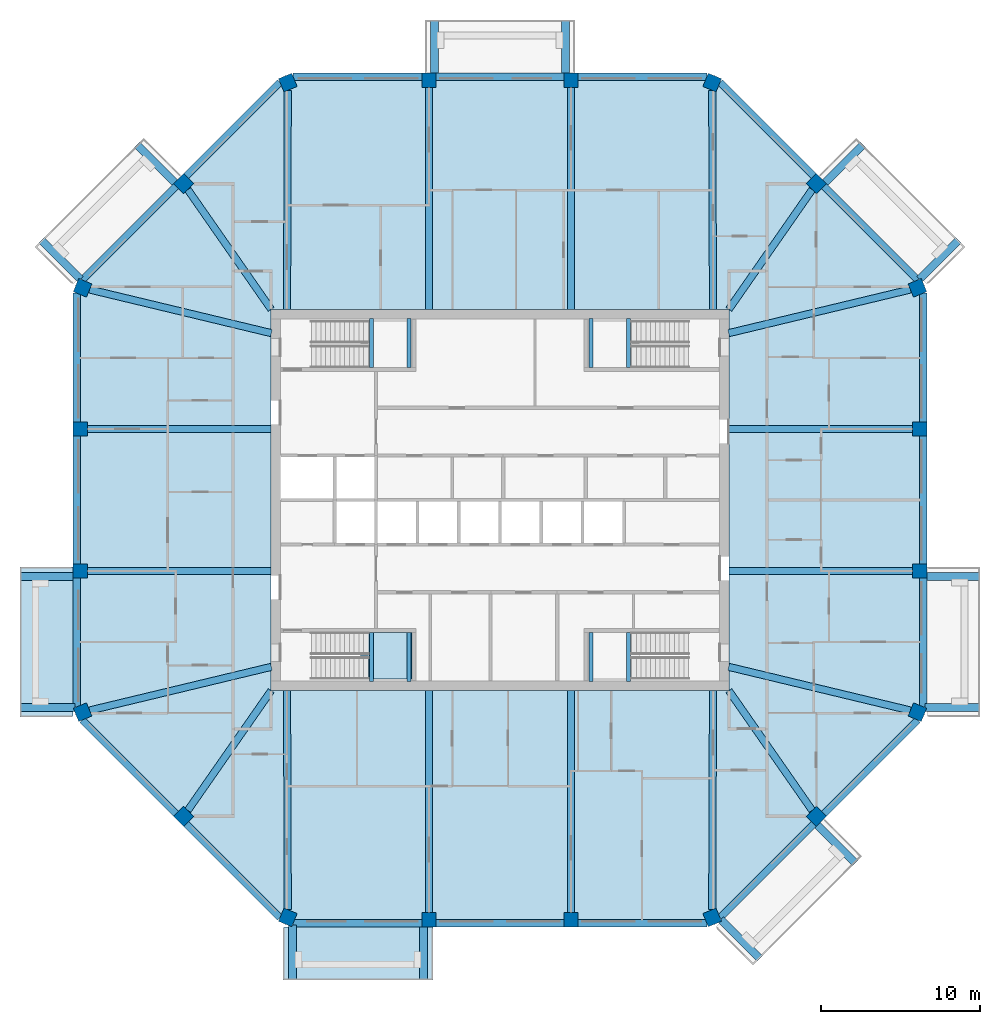
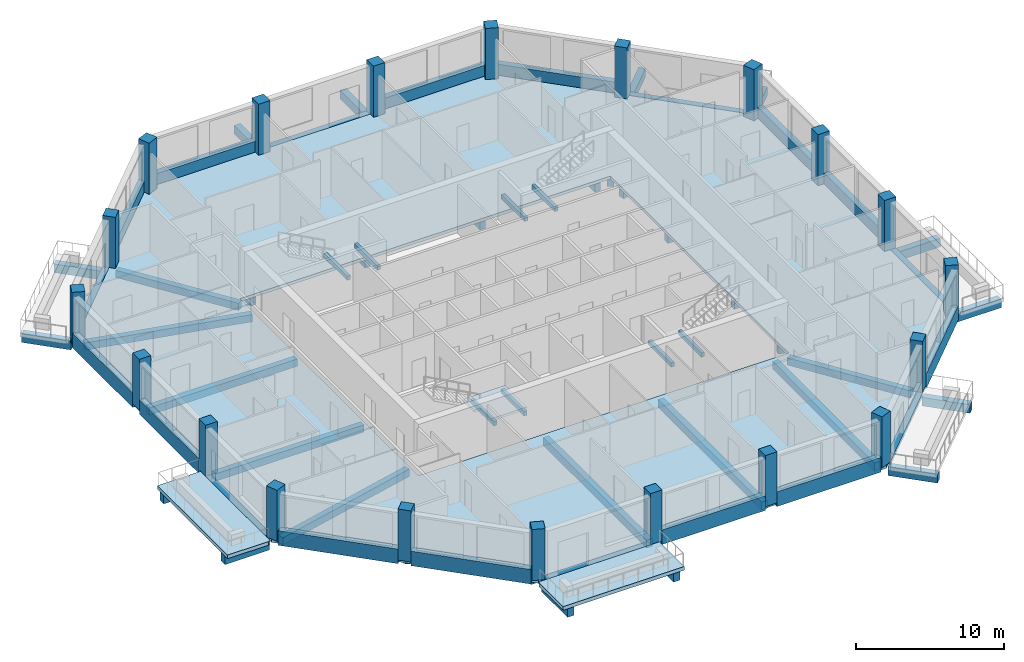
# One storey, part 1 of 11: 62 beams, 20 columns, 4 slabs, 1 element without a shape of its own.
"""IFC4 building model written with IfcOpenShell, lengths in metres."""

from ifc_helpers import new_model, si_unit, direction, frame, origin, origin_2d, place, context, subcontext, project, spatial, polyline, rectangle, outline, extrude, material, layer, layer_set, material_profile, profile_set, type_object, element, aggregate, save


model = new_model("IFC4")

# Units and contexts
model_context = context("Model", 3, precision=1e-05, world=origin(), true_north=direction((0.0, 1.0)))
body_context = subcontext(model_context, "Body", "Model", "MODEL_VIEW")
ifc_project = project(units=[si_unit("LENGTHUNIT", "METRE"), si_unit("AREAUNIT", "SQUARE_METRE"), si_unit("VOLUMEUNIT", "CUBIC_METRE"), si_unit("PLANEANGLEUNIT", "RADIAN"), si_unit("MASSUNIT", "GRAM", prefix="KILO")], contexts=[model_context])

# Site, building, storey
site_placement = place(None, origin())
site = spatial("IfcSite", under=ifc_project, at=site_placement, CompositionType="ELEMENT")
building_placement = place(site_placement, origin())
building = spatial("IfcBuilding", under=site, at=building_placement, Name="Msitu Wima Residences", CompositionType="ELEMENT")
storey_placement = place(building_placement, frame((0.0, 0.0, 260.10009765625)))
storey = spatial("IfcBuildingStorey", under=building, at=storey_placement, Name="L60", CompositionType="ELEMENT", Elevation=260.10009765625)

# Columns
ifc_material_1 = material(Name="Concrete C50/60", Category="concrete")
ifc_material_profile_1 = material_profile(ifc_material_1, rectangle(XDim=0.89990234375, YDim=0.89990234375, at=origin_2d()), Name="RC 900x900")
ifc_profile_set_1 = profile_set([ifc_material_profile_1], Name="Concrete C50/60")
column_type = type_object("IfcColumnType", Name="Column RC 900x900 Concrete C50/60", PredefinedType="COLUMN", material=ifc_profile_set_1)
for number, where, z_axis, x_axis, name in (
    (1, (26.261962890625, -13.3486328125, 0.0), (0.0, 0.0, 1.0), (0.382683496864, 0.923879505795, 0.0), "Column L60 C-E0"),
    (2, (26.39990234375, -4.46875, 0.0), (0.0, 0.0, 1.0), (0.0, 1.0, 0.0), "Column L60 C-E1"),
    (3, (26.39990234375, 4.46875, 0.0), (0.0, 0.0, 1.0), (0.0, 1.0, 0.0), "Column L60 C-E2"),
    (4, (26.261962890625, 13.3486328125, 0.0), (0.0, 0.0, 1.0), (-0.382683496864, 0.923879505795, 0.0), "Column L60 C-NE0"),
    (5, (19.90283203125, 19.90283203125, 0.0), (0.0, 0.0, 1.0), (-0.707106781187, 0.707106781187, 0.0), "Column L60 C-NE1"),
    (6, (13.3486328125, 26.261962890625, 0.0), (0.0, 0.0, 1.0), (-0.923879505795, 0.382683496864, 0.0), "Column L60 C-N0"),
    (7, (4.46875, 26.39990234375, 0.0), (0.0, 0.0, 1.0), (-1.0, 0.0, 0.0), "Column L60 C-N1"),
    (8, (-4.46875, 26.39990234375, 0.0), (0.0, 0.0, 1.0), (-1.0, 0.0, 0.0), "Column L60 C-N2"),
    (9, (-13.3486328125, 26.261962890625, 0.0), (0.0, 0.0, 1.0), (-0.923879505795, -0.382683496864, 0.0), "Column L60 C-NW0"),
    (10, (-19.90283203125, 19.90283203125, 0.0), (0.0, 0.0, 1.0), (-0.707106781187, -0.707106781187, 0.0), "Column L60 C-NW1"),
    (11, (-26.261962890625, 13.3486328125, 0.0), (0.0, 0.0, 1.0), (-0.382683496864, -0.923879505795, 0.0), "Column L60 C-W0"),
    (12, (-26.39990234375, 4.46875, 0.0), (0.0, 0.0, 1.0), (0.0, -1.0, 0.0), "Column L60 C-W1"),
    (13, (-26.39990234375, -4.46875, 0.0), (0.0, 0.0, 1.0), (0.0, -1.0, 0.0), "Column L60 C-W2"),
    (14, (-26.261962890625, -13.3486328125, 0.0), (0.0, 0.0, 1.0), (0.382683496864, -0.923879505795, 0.0), "Column L60 C-SW0"),
    (15, (-19.90283203125, -19.90283203125, 0.0), (0.0, 0.0, 1.0), (0.707106781187, -0.707106781187, 0.0), "Column L60 C-SW1"),
    (16, (-13.3486328125, -26.261962890625, 0.0), (0.0, 0.0, 1.0), (0.923879505795, -0.382683496864, 0.0), "Column L60 C-S0"),
    (17, (-4.46875, -26.39990234375, 0.0), (0.0, 0.0, 1.0), (1.0, 0.0, 0.0), "Column L60 C-S1"),
    (18, (4.46875, -26.39990234375, 0.0), (0.0, 0.0, 1.0), (1.0, 0.0, 0.0), "Column L60 C-S2"),
    (19, (13.3486328125, -26.261962890625, 0.0), (0.0, 0.0, 1.0), (0.923879505795, 0.382683496864, 0.0), "Column L60 C-SE0"),
    (20, (19.90283203125, -19.90283203125, 0.0), (0.0, 0.0, 1.0), (0.707106781187, 0.707106781187, 0.0), "Column L60 C-SE1"),
):
    element("IfcColumn", number, at=place(storey_placement, frame(where, z_axis=z_axis, x_axis=x_axis)), inside=storey, type_object=column_type, Name=name, PredefinedType="COLUMN", context=body_context, shape_type="SweptSolid", body=[
        extrude(rectangle(XDim=0.89990234375, YDim=0.89990234375, at=origin_2d()), origin(), (0.0, 0.0, 1.0), 4.199951171875),
    ])

# Beams
ifc_material_profile_2 = material_profile(ifc_material_1, rectangle(XDim=0.449951171875, YDim=0.60009765625, at=origin_2d()), Name="RC 450x600")
ifc_profile_set_2 = profile_set([ifc_material_profile_2], Name="Concrete C50/60")
beam_type_1 = type_object("IfcBeamType", Name="Beam RC 450x600 Concrete C50/60", PredefinedType="BEAM", material=ifc_profile_set_2)
beam_1_placement = place(storey_placement, frame((25.819091796875, -13.242431640625, -0.550048828125), z_axis=(-0.972353359268, 0.233514335148, 0.0), x_axis=(-0.233514335148, -0.972353359268, 0.0)))
element("IfcBeam", 21, at=beam_1_placement, inside=storey, type_object=beam_type_1, Name="Beam L60 C-E0", PredefinedType="BEAM", context=body_context, shape_type="SweptSolid", body=[
    extrude(rectangle(XDim=0.449951171875, YDim=0.60009765625, at=origin_2d()), origin(), (0.0, 0.0, 1.0), 11.755615234375),
])
for number, where, z_axis, x_axis, name in (
    (22, (25.949951171875, -4.46875, -0.550048828125), (-1.0, 0.0, 0.0), (0.0, -1.0, 0.0), "Beam L60 C-E1"),
    (23, (25.949951171875, 4.46875, -0.550048828125), (-1.0, 0.0, 0.0), (0.0, -1.0, 0.0), "Beam L60 C-E2"),
):
    element("IfcBeam", number, at=place(storey_placement, frame(where, z_axis=z_axis, x_axis=x_axis)), inside=storey, type_object=beam_type_1, Name=name, PredefinedType="BEAM", context=body_context, shape_type="SweptSolid", body=[
        extrude(rectangle(XDim=0.449951171875, YDim=0.60009765625, at=origin_2d()), origin(), (0.0, 0.0, 1.0), 11.550048828125),
    ])
beam_2_placement = place(storey_placement, frame((25.819091796875, 13.242431640625, -0.550048828125), z_axis=(-0.972353359268, -0.233514335148, 0.0), x_axis=(0.233514335148, -0.972353359268, 0.0)))
element("IfcBeam", 24, at=beam_2_placement, inside=storey, type_object=beam_type_1, Name="Beam L60 C-NE0", PredefinedType="BEAM", context=body_context, shape_type="SweptSolid", body=[
    extrude(rectangle(XDim=0.449951171875, YDim=0.60009765625, at=origin_2d()), origin(), (0.0, 0.0, 1.0), 11.755615234375),
])
for number, where, z_axis, x_axis, name in (
    (25, (19.6416015625, 19.52783203125, -0.550048828125), (-0.571427822633, -0.820652328042, 0.0), (0.820652328042, -0.571427822633, 0.0), "Beam L60 C-NE1"),
    (26, (-19.6416015625, 19.52783203125, -0.550048828125), (0.571427822633, -0.820652328042, 0.0), (0.820652328042, 0.571427822633, 0.0), "Beam L60 C-NW1"),
):
    element("IfcBeam", number, at=place(storey_placement, frame(where, z_axis=z_axis, x_axis=x_axis)), inside=storey, type_object=beam_type_1, Name=name, PredefinedType="BEAM", context=body_context, shape_type="SweptSolid", body=[
        extrude(rectangle(XDim=0.449951171875, YDim=0.60009765625, at=origin_2d()), origin(), (0.0, 0.0, 1.0), 9.173095703125),
    ])
beam_3_placement = place(storey_placement, frame((-25.819091796875, 13.242431640625, -0.550048828125), z_axis=(0.972353359268, -0.233514335148, 0.0), x_axis=(0.233514335148, 0.972353359268, 0.0)))
element("IfcBeam", 27, at=beam_3_placement, inside=storey, type_object=beam_type_1, Name="Beam L60 C-W0", PredefinedType="BEAM", context=body_context, shape_type="SweptSolid", body=[
    extrude(rectangle(XDim=0.449951171875, YDim=0.60009765625, at=origin_2d()), origin(), (0.0, 0.0, 1.0), 11.755615234375),
])
for number, where, z_axis, x_axis, name in (
    (28, (-25.949951171875, 4.46875, -0.550048828125), (1.0, 0.0, 0.0), (0.0, 1.0, 0.0), "Beam L60 C-W1"),
    (29, (-25.949951171875, -4.46875, -0.550048828125), (1.0, 0.0, 0.0), (0.0, 1.0, 0.0), "Beam L60 C-W2"),
):
    element("IfcBeam", number, at=place(storey_placement, frame(where, z_axis=z_axis, x_axis=x_axis)), inside=storey, type_object=beam_type_1, Name=name, PredefinedType="BEAM", context=body_context, shape_type="SweptSolid", body=[
        extrude(rectangle(XDim=0.449951171875, YDim=0.60009765625, at=origin_2d()), origin(), (0.0, 0.0, 1.0), 11.550048828125),
    ])
beam_4_placement = place(storey_placement, frame((-25.819091796875, -13.242431640625, -0.550048828125), z_axis=(0.972353359268, 0.233514335148, 0.0), x_axis=(-0.233514335148, 0.972353359268, 0.0)))
element("IfcBeam", 30, at=beam_4_placement, inside=storey, type_object=beam_type_1, Name="Beam L60 C-SW0", PredefinedType="BEAM", context=body_context, shape_type="SweptSolid", body=[
    extrude(rectangle(XDim=0.449951171875, YDim=0.60009765625, at=origin_2d()), origin(), (0.0, 0.0, 1.0), 11.755615234375),
])
for number, where, z_axis, x_axis, name in (
    (31, (-19.6416015625, -19.52783203125, -0.550048828125), (0.571427822633, 0.820652328042, 0.0), (-0.820652328042, 0.571427822633, 0.0), "Beam L60 C-SW1"),
    (32, (19.6416015625, -19.52783203125, -0.550048828125), (-0.571427822633, 0.820652328042, 0.0), (-0.820652328042, -0.571427822633, 0.0), "Beam L60 C-SE1"),
):
    element("IfcBeam", number, at=place(storey_placement, frame(where, z_axis=z_axis, x_axis=x_axis)), inside=storey, type_object=beam_type_1, Name=name, PredefinedType="BEAM", context=body_context, shape_type="SweptSolid", body=[
        extrude(rectangle(XDim=0.449951171875, YDim=0.60009765625, at=origin_2d()), origin(), (0.0, 0.0, 1.0), 9.173095703125),
    ])
ifc_material_profile_3 = material_profile(ifc_material_1, rectangle(XDim=0.449951171875, YDim=0.64990234375, at=origin_2d()), Name="RC 450x650")
ifc_profile_set_3 = profile_set([ifc_material_profile_3], Name="Concrete C50/60")
beam_type_2 = type_object("IfcBeamType", Name="Beam RC 450x650 Concrete C50/60", PredefinedType="BEAM", material=ifc_profile_set_3)
beam_5_placement = place(storey_placement, frame((13.3505859375, 25.774169921875, -0.5751953125), z_axis=(0.003594933206, -0.999993538207, 0.0), x_axis=(0.999993538207, 0.003594933206, 0.0)))
element("IfcBeam", 33, at=beam_5_placement, inside=storey, type_object=beam_type_2, Name="Beam L60 C-N0", PredefinedType="BEAM", context=body_context, shape_type="SweptSolid", body=[
    extrude(rectangle(XDim=0.449951171875, YDim=0.64990234375, at=origin_2d()), origin(), (0.0, 0.0, 1.0), 13.7861328125),
])
for number, where, z_axis, x_axis, name in (
    (34, (4.46875, 25.949951171875, -0.5751953125), (0.0, -1.0, 0.0), (1.0, 0.0, 0.0), "Beam L60 C-N1"),
    (35, (-4.46875, 25.949951171875, -0.5751953125), (0.0, -1.0, 0.0), (1.0, 0.0, 0.0), "Beam L60 C-N2"),
):
    element("IfcBeam", number, at=place(storey_placement, frame(where, z_axis=z_axis, x_axis=x_axis)), inside=storey, type_object=beam_type_2, Name=name, PredefinedType="BEAM", context=body_context, shape_type="SweptSolid", body=[
        extrude(rectangle(XDim=0.449951171875, YDim=0.64990234375, at=origin_2d()), origin(), (0.0, 0.0, 1.0), 13.949951171875),
    ])
for number, where, z_axis, x_axis, name in (
    (36, (-13.3505859375, 25.774169921875, -0.5751953125), (-0.003594933206, -0.999993538207, 0.0), (0.999993538207, -0.003594933206, 0.0), "Beam L60 C-NW0"),
    (37, (-13.3505859375, -25.774169921875, -0.5751953125), (-0.003594933206, 0.999993538207, 0.0), (-0.999993538207, -0.003594933206, 0.0), "Beam L60 C-S0"),
):
    element("IfcBeam", number, at=place(storey_placement, frame(where, z_axis=z_axis, x_axis=x_axis)), inside=storey, type_object=beam_type_2, Name=name, PredefinedType="BEAM", context=body_context, shape_type="SweptSolid", body=[
        extrude(rectangle(XDim=0.449951171875, YDim=0.64990234375, at=origin_2d()), origin(), (0.0, 0.0, 1.0), 13.7861328125),
    ])
for number, where, z_axis, x_axis, name in (
    (38, (-4.46875, -25.949951171875, -0.5751953125), (0.0, 1.0, 0.0), (-1.0, 0.0, 0.0), "Beam L60 C-S1"),
    (39, (4.46875, -25.949951171875, -0.5751953125), (0.0, 1.0, 0.0), (-1.0, 0.0, 0.0), "Beam L60 C-S2"),
):
    element("IfcBeam", number, at=place(storey_placement, frame(where, z_axis=z_axis, x_axis=x_axis)), inside=storey, type_object=beam_type_2, Name=name, PredefinedType="BEAM", context=body_context, shape_type="SweptSolid", body=[
        extrude(rectangle(XDim=0.449951171875, YDim=0.64990234375, at=origin_2d()), origin(), (0.0, 0.0, 1.0), 13.949951171875),
    ])
beam_6_placement = place(storey_placement, frame((13.3505859375, -25.774169921875, -0.5751953125), z_axis=(0.003594933206, 0.999993538207, 0.0), x_axis=(-0.999993538207, 0.003594933206, 0.0)))
element("IfcBeam", 40, at=beam_6_placement, inside=storey, type_object=beam_type_2, Name="Beam L60 C-SE0", PredefinedType="BEAM", context=body_context, shape_type="SweptSolid", body=[
    extrude(rectangle(XDim=0.449951171875, YDim=0.64990234375, at=origin_2d()), origin(), (0.0, 0.0, 1.0), 13.7861328125),
])
ifc_material_profile_4 = material_profile(ifc_material_1, rectangle(XDim=0.5, YDim=0.699951171875, at=origin_2d()), Name="RC 500x700")
ifc_profile_set_4 = profile_set([ifc_material_profile_4], Name="Concrete C50/60")
beam_type_3 = type_object("IfcBeamType", Name="Cantilever beam RC 500x700 Concrete C50/60", PredefinedType="BEAM", material=ifc_profile_set_4)
beam_7_placement = place(storey_placement, frame((26.73095703125, -13.055908203125, -0.650146484375), z_axis=(1.0, 0.0, 0.0), x_axis=(0.0, 1.0, 0.0)))
element("IfcBeam", 41, at=beam_7_placement, inside=storey, type_object=beam_type_3, Name="Cantilever beam L60 BA-E0 A", PredefinedType="BEAM", context=body_context, shape_type="SweptSolid", body=[
    extrude(rectangle(XDim=0.5, YDim=0.699951171875, at=origin_2d()), origin(), (0.0, 0.0, 1.0), 3.468994140625),
])
beam_8_placement = place(storey_placement, frame((26.85009765625, -4.818603515625, -0.650146484375), z_axis=(1.0, 0.0, 0.0), x_axis=(0.0, 1.0, 0.0)))
element("IfcBeam", 42, at=beam_8_placement, inside=storey, type_object=beam_type_3, Name="Cantilever beam L60 BA-E0 B", PredefinedType="BEAM", context=body_context, shape_type="SweptSolid", body=[
    extrude(rectangle(XDim=0.5, YDim=0.699951171875, at=origin_2d()), origin(), (0.0, 0.0, 1.0), 3.349853515625),
])
beam_9_placement = place(storey_placement, frame((26.386474609375, 13.887451171875, -0.650146484375), z_axis=(0.707141968506, 0.707071592116, 0.0), x_axis=(-0.707071592116, 0.707141968506, 0.0)))
element("IfcBeam", 43, at=beam_9_placement, inside=storey, type_object=beam_type_3, Name="Cantilever beam L60 BA-NE0 A", PredefinedType="BEAM", context=body_context, shape_type="SweptSolid", body=[
    extrude(rectangle(XDim=0.5, YDim=0.699951171875, at=origin_2d()), origin(), (0.0, 0.0, 1.0), 3.468994140625),
])
for number, where, z_axis, x_axis, name in (
    (44, (20.46875, 19.9736328125, -0.650146484375), (0.707070340836, 0.707143219659, 0.0), (-0.707143219659, 0.707070340836, 0.0), "Cantilever beam L60 BA-NE0 B"),
    (45, (4.11865234375, 26.85009765625, -0.650146484375), (0.0, 1.0, 0.0), (-1.0, 0.0, 0.0), "Cantilever beam L60 BA-N1 A"),
    (46, (-4.11865234375, 26.85009765625, -0.650146484375), (0.0, 1.0, 0.0), (-1.0, 0.0, 0.0), "Cantilever beam L60 BA-N1 B"),
    (47, (-20.46875, 19.9736328125, -0.650146484375), (-0.707070340836, 0.707143219659, 0.0), (-0.707143219659, -0.707070340836, 0.0), "Cantilever beam L60 BA-NW1 A"),
):
    element("IfcBeam", number, at=place(storey_placement, frame(where, z_axis=z_axis, x_axis=x_axis)), inside=storey, type_object=beam_type_3, Name=name, PredefinedType="BEAM", context=body_context, shape_type="SweptSolid", body=[
        extrude(rectangle(XDim=0.5, YDim=0.699951171875, at=origin_2d()), origin(), (0.0, 0.0, 1.0), 3.349853515625),
    ])
beam_10_placement = place(storey_placement, frame((-26.386474609375, 13.887451171875, -0.650146484375), z_axis=(-0.707141968506, 0.707071592116, 0.0), x_axis=(-0.707071592116, -0.707141968506, 0.0)))
element("IfcBeam", 48, at=beam_10_placement, inside=storey, type_object=beam_type_3, Name="Cantilever beam L60 BA-NW1 B", PredefinedType="BEAM", context=body_context, shape_type="SweptSolid", body=[
    extrude(rectangle(XDim=0.5, YDim=0.699951171875, at=origin_2d()), origin(), (0.0, 0.0, 1.0), 3.468994140625),
])
beam_11_placement = place(storey_placement, frame((-26.85009765625, -4.818603515625, -0.650146484375), z_axis=(-1.0, 0.0, 0.0), x_axis=(0.0, -1.0, 0.0)))
element("IfcBeam", 49, at=beam_11_placement, inside=storey, type_object=beam_type_3, Name="Cantilever beam L60 BA-W2 A", PredefinedType="BEAM", context=body_context, shape_type="SweptSolid", body=[
    extrude(rectangle(XDim=0.5, YDim=0.699951171875, at=origin_2d()), origin(), (0.0, 0.0, 1.0), 3.349853515625),
])
for number, where, z_axis, x_axis, name in (
    (50, (-26.73095703125, -13.055908203125, -0.650146484375), (-1.0, 0.0, 0.0), (0.0, -1.0, 0.0), "Cantilever beam L60 BA-W2 B"),
    (51, (-13.055908203125, -26.73095703125, -0.650146484375), (0.0, -1.0, 0.0), (1.0, 0.0, 0.0), "Cantilever beam L60 BA-S0 A"),
):
    element("IfcBeam", number, at=place(storey_placement, frame(where, z_axis=z_axis, x_axis=x_axis)), inside=storey, type_object=beam_type_3, Name=name, PredefinedType="BEAM", context=body_context, shape_type="SweptSolid", body=[
        extrude(rectangle(XDim=0.5, YDim=0.699951171875, at=origin_2d()), origin(), (0.0, 0.0, 1.0), 3.468994140625),
    ])
beam_12_placement = place(storey_placement, frame((-4.818603515625, -26.85009765625, -0.650146484375), z_axis=(0.0, -1.0, 0.0), x_axis=(1.0, 0.0, 0.0)))
element("IfcBeam", 52, at=beam_12_placement, inside=storey, type_object=beam_type_3, Name="Cantilever beam L60 BA-S0 B", PredefinedType="BEAM", context=body_context, shape_type="SweptSolid", body=[
    extrude(rectangle(XDim=0.5, YDim=0.699951171875, at=origin_2d()), origin(), (0.0, 0.0, 1.0), 3.349853515625),
])
beam_13_placement = place(storey_placement, frame((13.887451171875, -26.386474609375, -0.650146484375), z_axis=(0.707071592116, -0.707141968506, 0.0), x_axis=(0.707141968506, 0.707071592116, 0.0)))
element("IfcBeam", 53, at=beam_13_placement, inside=storey, type_object=beam_type_3, Name="Cantilever beam L60 BA-SE0 A", PredefinedType="BEAM", context=body_context, shape_type="SweptSolid", body=[
    extrude(rectangle(XDim=0.5, YDim=0.699951171875, at=origin_2d()), origin(), (0.0, 0.0, 1.0), 3.468994140625),
])
beam_14_placement = place(storey_placement, frame((19.9736328125, -20.46875, -0.650146484375), z_axis=(0.707143219659, -0.707070340836, 0.0), x_axis=(0.707070340836, 0.707143219659, 0.0)))
element("IfcBeam", 54, at=beam_14_placement, inside=storey, type_object=beam_type_3, Name="Cantilever beam L60 BA-SE0 B", PredefinedType="BEAM", context=body_context, shape_type="SweptSolid", body=[
    extrude(rectangle(XDim=0.5, YDim=0.699951171875, at=origin_2d()), origin(), (0.0, 0.0, 1.0), 3.349853515625),
])
ifc_material_profile_5 = material_profile(ifc_material_1, rectangle(XDim=0.449951171875, YDim=0.300048828125, at=origin_2d()), Name="RC 450x300")
ifc_profile_set_5 = profile_set([ifc_material_profile_5], Name="Concrete C50/60")
beam_type_4 = type_object("IfcBeamType", Name="Edge beam RC 450x300 Concrete C50/60", PredefinedType="SPANDREL", material=ifc_profile_set_5)
beam_15_placement = place(storey_placement, frame((26.625, -13.02392578125, -0.150146484375), z_axis=(0.0, 1.0, 0.0), x_axis=(-1.0, 0.0, 0.0)))
element("IfcBeam", 55, at=beam_15_placement, inside=storey, type_object=beam_type_4, Name="Spandrel L60 E0", PredefinedType="SPANDREL", context=body_context, shape_type="SweptSolid", body=[
    extrude(rectangle(XDim=0.449951171875, YDim=0.300048828125, at=origin_2d()), origin(), (0.0, 0.0, 1.0), 8.105224609375),
])
beam_16_placement = place(storey_placement, frame((26.2890625, 13.8349609375, -0.150146484375), z_axis=(-0.707106781187, 0.707106781187, 0.0), x_axis=(-0.707106781187, -0.707106781187, 0.0)))
element("IfcBeam", 56, at=beam_16_placement, inside=storey, type_object=beam_type_4, Name="Spandrel L60 NE0", PredefinedType="SPANDREL", context=body_context, shape_type="SweptSolid", body=[
    extrude(rectangle(XDim=0.449951171875, YDim=0.300048828125, at=origin_2d()), origin(), (0.0, 0.0, 1.0), 8.3564453125),
])
beam_17_placement = place(storey_placement, frame((4.0185546875, 26.625, -0.150146484375), z_axis=(-1.0, 0.0, 0.0), x_axis=(0.0, -1.0, 0.0)))
element("IfcBeam", 57, at=beam_17_placement, inside=storey, type_object=beam_type_4, Name="Spandrel L60 N1", PredefinedType="SPANDREL", context=body_context, shape_type="SweptSolid", body=[
    extrude(rectangle(XDim=0.449951171875, YDim=0.300048828125, at=origin_2d()), origin(), (0.0, 0.0, 1.0), 8.037109375),
])
beam_18_placement = place(storey_placement, frame((-20.380126953125, 19.743896484375, -0.150146484375), z_axis=(-0.707106781187, -0.707106781187, 0.0), x_axis=(0.707106781187, -0.707106781187, 0.0)))
element("IfcBeam", 58, at=beam_18_placement, inside=storey, type_object=beam_type_4, Name="Spandrel L60 NW1", PredefinedType="SPANDREL", context=body_context, shape_type="SweptSolid", body=[
    extrude(rectangle(XDim=0.449951171875, YDim=0.300048828125, at=origin_2d()), origin(), (0.0, 0.0, 1.0), 8.3564453125),
])
for number, where, z_axis, x_axis, name in (
    (59, (-26.625, -4.918701171875, -0.150146484375), (0.0, -1.0, 0.0), (1.0, 0.0, 0.0), "Spandrel L60 W2"),
    (60, (-13.02392578125, -26.625, -0.150146484375), (1.0, 0.0, 0.0), (0.0, 1.0, 0.0), "Spandrel L60 S0"),
):
    element("IfcBeam", number, at=place(storey_placement, frame(where, z_axis=z_axis, x_axis=x_axis)), inside=storey, type_object=beam_type_4, Name=name, PredefinedType="SPANDREL", context=body_context, shape_type="SweptSolid", body=[
        extrude(rectangle(XDim=0.449951171875, YDim=0.300048828125, at=origin_2d()), origin(), (0.0, 0.0, 1.0), 8.105224609375),
    ])
beam_19_placement = place(storey_placement, frame((13.8349609375, -26.2890625, -0.150146484375), z_axis=(0.707106781187, 0.707106781187, 0.0), x_axis=(-0.707106781187, 0.707106781187, 0.0)))
element("IfcBeam", 61, at=beam_19_placement, inside=storey, type_object=beam_type_4, Name="Spandrel L60 SE0", PredefinedType="SPANDREL", context=body_context, shape_type="SweptSolid", body=[
    extrude(rectangle(XDim=0.449951171875, YDim=0.300048828125, at=origin_2d()), origin(), (0.0, 0.0, 1.0), 8.3564453125),
])
ifc_material_2 = material(Name="Concrete C40/50", Category="concrete")
ifc_material_profile_6 = material_profile(ifc_material_2, rectangle(XDim=0.25, YDim=0.35009765625, at=origin_2d()), Name="RC 250x350")
ifc_profile_set_6 = profile_set([ifc_material_profile_6], Name="Concrete C40/50")
beam_type_5 = type_object("IfcBeamType", Name="Landing beam RC 250x350", PredefinedType="BEAM", material=ifc_profile_set_6)
for number, where, z_axis, x_axis, name in (
    (62, (-8.074951171875, 8.324951171875, 1.724853515625), (0.0, 1.0, 0.0), (-1.0, 0.0, 0.0), "Stair 1 landing beam"),
    (63, (-5.72509765625, 8.324951171875, 1.724853515625), (0.0, 1.0, 0.0), (-1.0, 0.0, 0.0), "Stair 1 landing beam"),
    (64, (-8.074951171875, -11.425048828125, 1.724853515625), (0.0, 1.0, 0.0), (-1.0, 0.0, 0.0), "Stair 2 landing beam"),
    (65, (-5.72509765625, -11.425048828125, 1.724853515625), (0.0, 1.0, 0.0), (-1.0, 0.0, 0.0), "Stair 2 landing beam"),
    (66, (8.074951171875, 8.324951171875, 1.724853515625), (0.0, 1.0, 0.0), (-1.0, 0.0, 0.0), "Stair 3 landing beam"),
    (67, (5.72509765625, 8.324951171875, 1.724853515625), (0.0, 1.0, 0.0), (-1.0, 0.0, 0.0), "Stair 3 landing beam"),
    (68, (8.074951171875, -11.425048828125, 1.724853515625), (0.0, 1.0, 0.0), (-1.0, 0.0, 0.0), "Stair 4 landing beam"),
    (69, (5.72509765625, -11.425048828125, 1.724853515625), (0.0, 1.0, 0.0), (-1.0, 0.0, 0.0), "Stair 4 landing beam"),
):
    element("IfcBeam", number, at=place(storey_placement, frame(where, z_axis=z_axis, x_axis=x_axis)), inside=storey, type_object=beam_type_5, Name=name, PredefinedType="BEAM", context=body_context, shape_type="SweptSolid", body=[
        extrude(rectangle(XDim=0.25, YDim=0.35009765625, at=origin_2d()), origin(), (0.0, 0.0, 1.0), 3.10009765625),
    ])
ifc_material_profile_7 = material_profile(ifc_material_1, rectangle(XDim=0.449951171875, YDim=1.199951171875, at=origin_2d()), Name="RC 450x1200")
ifc_profile_set_7 = profile_set([ifc_material_profile_7], Name="Concrete C50/60")
beam_type_6 = type_object("IfcBeamType", Name="Spandrel RC 450x1200 Concrete C50/60", PredefinedType="SPANDREL", material=ifc_profile_set_7)
beam_20_placement = place(storey_placement, frame((26.625, -4.0185546875, 0.2998046875), z_axis=(0.0, 1.0, 0.0), x_axis=(-1.0, 0.0, 0.0)))
element("IfcBeam", 70, at=beam_20_placement, inside=storey, type_object=beam_type_6, Name="Spandrel L60 E1", PredefinedType="SPANDREL", context=body_context, shape_type="SweptSolid", body=[
    extrude(rectangle(XDim=0.449951171875, YDim=1.199951171875, at=origin_2d()), origin(), (0.0, 0.0, 1.0), 8.037109375),
])
beam_21_placement = place(storey_placement, frame((26.625, 4.918701171875, 0.2998046875), z_axis=(0.0, 1.0, 0.0), x_axis=(-1.0, 0.0, 0.0)))
element("IfcBeam", 71, at=beam_21_placement, inside=storey, type_object=beam_type_6, Name="Spandrel L60 E2", PredefinedType="SPANDREL", context=body_context, shape_type="SweptSolid", body=[
    extrude(rectangle(XDim=0.449951171875, YDim=1.199951171875, at=origin_2d()), origin(), (0.0, 0.0, 1.0), 8.105224609375),
])
beam_22_placement = place(storey_placement, frame((19.743896484375, 20.380126953125, 0.2998046875), z_axis=(-0.707106781187, 0.707106781187, 0.0), x_axis=(-0.707106781187, -0.707106781187, 0.0)))
element("IfcBeam", 72, at=beam_22_placement, inside=storey, type_object=beam_type_6, Name="Spandrel L60 NE1", PredefinedType="SPANDREL", context=body_context, shape_type="SweptSolid", body=[
    extrude(rectangle(XDim=0.449951171875, YDim=1.199951171875, at=origin_2d()), origin(), (0.0, 0.0, 1.0), 8.3564453125),
])
for number, where, z_axis, x_axis, name in (
    (73, (13.02392578125, 26.625, 0.2998046875), (-1.0, 0.0, 0.0), (0.0, -1.0, 0.0), "Spandrel L60 N0"),
    (74, (-4.918701171875, 26.625, 0.2998046875), (-1.0, 0.0, 0.0), (0.0, -1.0, 0.0), "Spandrel L60 N2"),
):
    element("IfcBeam", number, at=place(storey_placement, frame(where, z_axis=z_axis, x_axis=x_axis)), inside=storey, type_object=beam_type_6, Name=name, PredefinedType="SPANDREL", context=body_context, shape_type="SweptSolid", body=[
        extrude(rectangle(XDim=0.449951171875, YDim=1.199951171875, at=origin_2d()), origin(), (0.0, 0.0, 1.0), 8.105224609375),
    ])
beam_23_placement = place(storey_placement, frame((-13.8349609375, 26.2890625, 0.2998046875), z_axis=(-0.707106781187, -0.707106781187, 0.0), x_axis=(0.707106781187, -0.707106781187, 0.0)))
element("IfcBeam", 75, at=beam_23_placement, inside=storey, type_object=beam_type_6, Name="Spandrel L60 NW0", PredefinedType="SPANDREL", context=body_context, shape_type="SweptSolid", body=[
    extrude(rectangle(XDim=0.449951171875, YDim=1.199951171875, at=origin_2d()), origin(), (0.0, 0.0, 1.0), 8.3564453125),
])
beam_24_placement = place(storey_placement, frame((-26.625, 13.02392578125, 0.2998046875), z_axis=(0.0, -1.0, 0.0), x_axis=(1.0, 0.0, 0.0)))
element("IfcBeam", 76, at=beam_24_placement, inside=storey, type_object=beam_type_6, Name="Spandrel L60 W0", PredefinedType="SPANDREL", context=body_context, shape_type="SweptSolid", body=[
    extrude(rectangle(XDim=0.449951171875, YDim=1.199951171875, at=origin_2d()), origin(), (0.0, 0.0, 1.0), 8.105224609375),
])
beam_25_placement = place(storey_placement, frame((-26.625, 4.0185546875, 0.2998046875), z_axis=(0.0, -1.0, 0.0), x_axis=(1.0, 0.0, 0.0)))
element("IfcBeam", 77, at=beam_25_placement, inside=storey, type_object=beam_type_6, Name="Spandrel L60 W1", PredefinedType="SPANDREL", context=body_context, shape_type="SweptSolid", body=[
    extrude(rectangle(XDim=0.449951171875, YDim=1.199951171875, at=origin_2d()), origin(), (0.0, 0.0, 1.0), 8.037109375),
])
for number, where, z_axis, x_axis, name in (
    (78, (-26.2890625, -13.8349609375, 0.2998046875), (0.707106781187, -0.707106781187, 0.0), (0.707106781187, 0.707106781187, 0.0), "Spandrel L60 SW0"),
    (79, (-19.743896484375, -20.380126953125, 0.2998046875), (0.707106781187, -0.707106781187, 0.0), (0.707106781187, 0.707106781187, 0.0), "Spandrel L60 SW1"),
):
    element("IfcBeam", number, at=place(storey_placement, frame(where, z_axis=z_axis, x_axis=x_axis)), inside=storey, type_object=beam_type_6, Name=name, PredefinedType="SPANDREL", context=body_context, shape_type="SweptSolid", body=[
        extrude(rectangle(XDim=0.449951171875, YDim=1.199951171875, at=origin_2d()), origin(), (0.0, 0.0, 1.0), 8.3564453125),
    ])
beam_26_placement = place(storey_placement, frame((-4.0185546875, -26.625, 0.2998046875), z_axis=(1.0, 0.0, 0.0), x_axis=(0.0, 1.0, 0.0)))
element("IfcBeam", 80, at=beam_26_placement, inside=storey, type_object=beam_type_6, Name="Spandrel L60 S1", PredefinedType="SPANDREL", context=body_context, shape_type="SweptSolid", body=[
    extrude(rectangle(XDim=0.449951171875, YDim=1.199951171875, at=origin_2d()), origin(), (0.0, 0.0, 1.0), 8.037109375),
])
beam_27_placement = place(storey_placement, frame((4.918701171875, -26.625, 0.2998046875), z_axis=(1.0, 0.0, 0.0), x_axis=(0.0, 1.0, 0.0)))
element("IfcBeam", 81, at=beam_27_placement, inside=storey, type_object=beam_type_6, Name="Spandrel L60 S2", PredefinedType="SPANDREL", context=body_context, shape_type="SweptSolid", body=[
    extrude(rectangle(XDim=0.449951171875, YDim=1.199951171875, at=origin_2d()), origin(), (0.0, 0.0, 1.0), 8.105224609375),
])
beam_28_placement = place(storey_placement, frame((20.380126953125, -19.743896484375, 0.2998046875), z_axis=(0.707106781187, 0.707106781187, 0.0), x_axis=(-0.707106781187, 0.707106781187, 0.0)))
element("IfcBeam", 82, at=beam_28_placement, inside=storey, type_object=beam_type_6, Name="Spandrel L60 SE1", PredefinedType="SPANDREL", context=body_context, shape_type="SweptSolid", body=[
    extrude(rectangle(XDim=0.449951171875, YDim=1.199951171875, at=origin_2d()), origin(), (0.0, 0.0, 1.0), 8.3564453125),
])

# Slabs
ifc_layer_1 = layer(ifc_material_2, 0.300048828125)
ifc_layer_set_1 = layer_set([ifc_layer_1], Name="Concrete C40/50")
slab_type_1 = type_object("IfcSlabType", Name="Balcony slab BS300", PredefinedType="FLOOR", material=ifc_layer_set_1)
slab_1_placement = place(storey_placement, frame((0.0, 0.0, -0.300048828125)))
element("IfcSlab", 83, at=slab_1_placement, inside=storey, type_object=slab_type_1, Name="Balcony W2 L60", PredefinedType="FLOOR", context=body_context, shape_type="SweptSolid", body=[
    extrude(outline(polyline([(-26.85009765625, -13.105224609375), (-26.85009765625, -13.105224609375), (-26.85009765625, -13.105224609375), (-26.85009765625, -13.59228515625), (-27.003662109375, -13.656005859375), (-30.199951171875, -13.656005859375), (-30.199951171875, -4.21875), (-26.85009765625, -4.21875), (-26.85009765625, -4.918701171875), (-26.85009765625, -13.105224609375)])), origin(), (0.0, 0.0, 1.0), 0.300048828125),
])
slab_2_placement = place(storey_placement, frame((0.0, 0.0, -0.300048828125)))
element("IfcSlab", 84, at=slab_2_placement, inside=storey, type_object=slab_type_1, Name="Balcony S0 L60", PredefinedType="FLOOR", context=body_context, shape_type="SweptSolid", body=[
    extrude(outline(polyline([(-13.105224609375, -26.85009765625), (-13.105224609375, -26.85009765625), (-4.918701171875, -26.85009765625), (-4.21875, -26.85009765625), (-4.21875, -30.199951171875), (-13.656005859375, -30.199951171875), (-13.656005859375, -27.003662109375), (-13.59228515625, -26.85009765625), (-13.105224609375, -26.85009765625), (-13.105224609375, -26.85009765625)])), origin(), (0.0, 0.0, 1.0), 0.300048828125),
])
ifc_layer_2 = layer(ifc_material_2, 0.25)
ifc_layer_set_2 = layer_set([ifc_layer_2], Name="Concrete C40/50")
slab_type_2 = type_object("IfcSlabType", Name="PT flat slab 250 Concrete C40/50", PredefinedType="FLOOR", material=ifc_layer_set_2)
slab_3_placement = place(storey_placement, frame((0.0, 0.0, -0.25)))
element("IfcSlab", 85, at=slab_3_placement, inside=storey, type_object=slab_type_2, Name="Floor slab L60", PredefinedType="FLOOR", context=body_context, shape_type="SweptSolid", body=[
    extrude(outline(polyline([(26.699951171875, -13.5302734375), (13.5302734375, -26.699951171875), (-13.5302734375, -26.699951171875), (-26.699951171875, -13.5302734375), (-26.699951171875, 13.5302734375), (-13.5302734375, 26.699951171875), (13.5302734375, 26.699951171875), (26.699951171875, 13.5302734375), (26.699951171875, -13.5302734375)]), holes=[polyline([(-14.39990234375, -12.0), (14.39990234375, -12.0), (14.39990234375, 12.0), (-14.39990234375, 12.0), (-14.39990234375, -12.0)])]), origin(), (0.0, 0.0, 1.0), 0.25),
])

# Stair, slab
stair_type = type_object("IfcStairType", Name="Exit stair ES1615-140", PredefinedType="HALF_TURN_STAIR", material=ifc_material_2)
stair_placement = place(storey_placement, origin())
stair = element("IfcStair", 86, at=stair_placement, inside=storey, type_object=stair_type, Name="Exit stair 2", PredefinedType="HALF_TURN_STAIR")
ifc_layer_3 = layer(ifc_material_2, 0.199951171875)
ifc_layer_set_3 = layer_set([ifc_layer_3], Name="Concrete C40/50")
slab_type_3 = type_object("IfcSlabType", Name="Stair landing SL200", PredefinedType="LANDING", material=ifc_layer_set_3)
slab_4_placement = place(storey_placement, frame((0.0, 0.0, 1.89990234375)))
slab_4 = element("IfcSlab", 87, at=slab_4_placement, type_object=slab_type_3, Name="S2 landing 1", PredefinedType="LANDING", context=body_context, shape_type="SweptSolid", body=[
    extrude(outline(polyline([(-5.52490234375, -11.27490234375), (-8.275390625, -11.27490234375), (-8.275390625, -9.800048828125), (-8.77490234375, -9.800048828125), (-8.77490234375, -8.324951171875), (-5.52490234375, -8.324951171875), (-5.52490234375, -11.27490234375)])), origin(), (0.0, 0.0, 1.0), 0.199951171875),
])
aggregate(stair, [slab_4])

save(model, "model.ifc")
